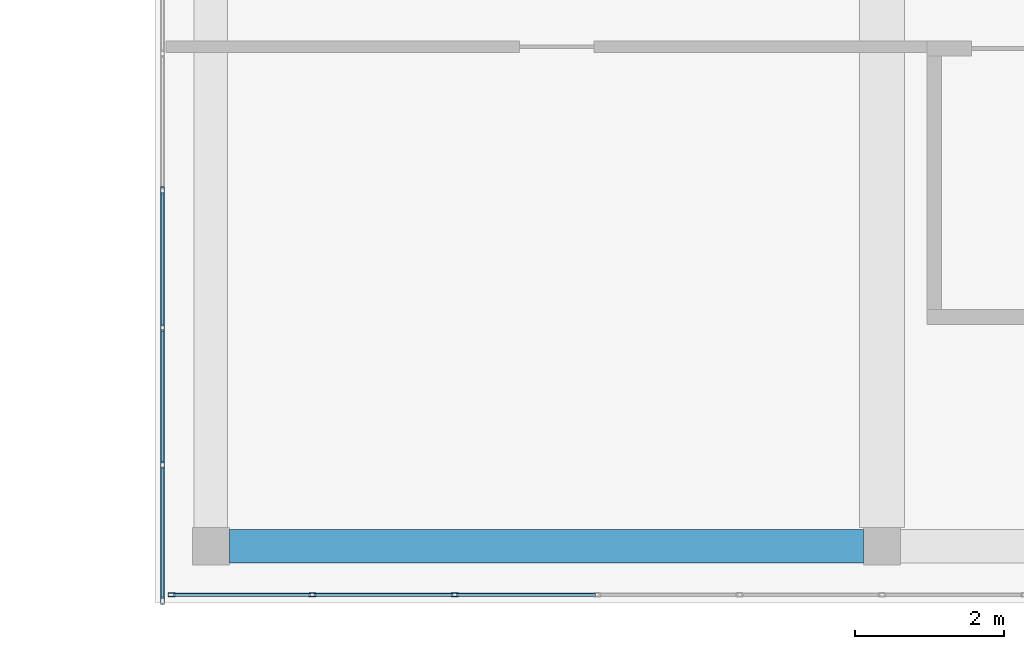
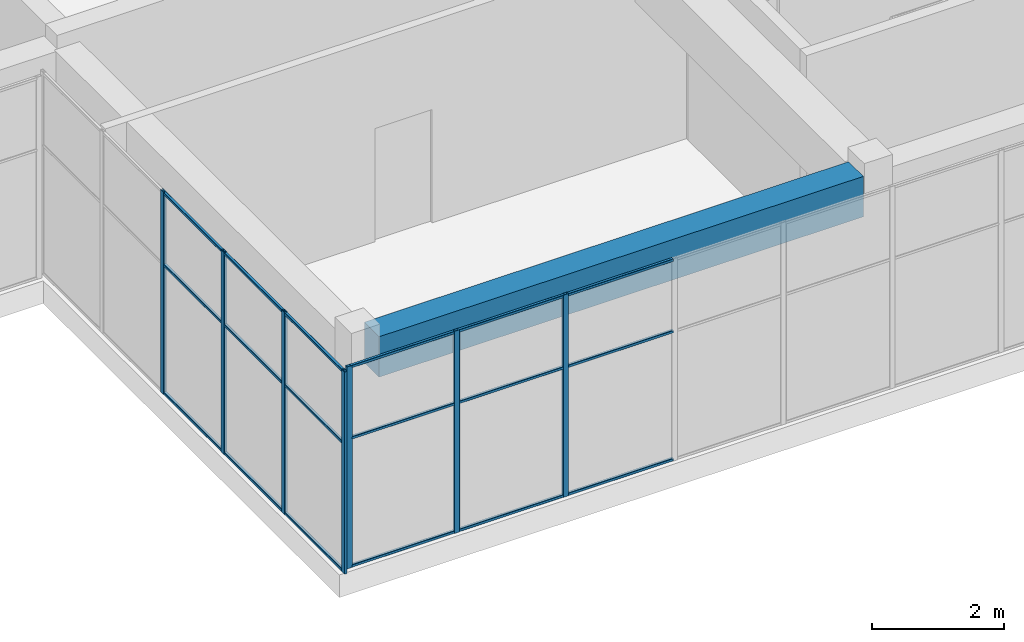
# One storey, part 2 of 34: 25 members, 1 beam, 2 elements without a shape of their own.
"""IFC4 building model written with IfcOpenShell, lengths in metres."""

from ifc_helpers import new_model, si_unit, direction, frame, origin, origin_2d, place, context, subcontext, project, spatial, rectangle, hollow_rectangle, extrude, material, layer, layer_set, material_profile, profile_set, type_object, element, aggregate, save


model = new_model("IFC4")

# Units and contexts
model_context = context("Model", 3, precision=1e-05, world=origin(), true_north=direction((0.0, 1.0)))
body_context = subcontext(model_context, "Body", "Model", "MODEL_VIEW")
ifc_project = project(units=[si_unit("LENGTHUNIT", "METRE"), si_unit("AREAUNIT", "SQUARE_METRE"), si_unit("VOLUMEUNIT", "CUBIC_METRE"), si_unit("PLANEANGLEUNIT", "RADIAN"), si_unit("MASSUNIT", "GRAM", prefix="KILO")], contexts=[model_context])

# Site, building, storey
site_placement = place(None, origin())
site = spatial("IfcSite", under=ifc_project, at=site_placement, CompositionType="ELEMENT")
building_placement = place(site_placement, origin())
building = spatial("IfcBuilding", under=site, at=building_placement, Name="Tuart Plaza Theatre", CompositionType="ELEMENT")
storey_placement = place(building_placement, frame((0.0, 0.0, 53.5)))
storey = spatial("IfcBuildingStorey", under=building, at=storey_placement, Name="L13", CompositionType="ELEMENT", Elevation=53.5)

# Beam
ifc_material_1 = material(Name="Concrete N40 (40 MPa)", Category="concrete")
ifc_material_profile_1 = material_profile(ifc_material_1, rectangle(XDim=0.449951171875, YDim=0.75, at=origin_2d()), Name="BEAM 450x750 Concrete N40 (40 MPa)")
ifc_profile_set_1 = profile_set([ifc_material_profile_1], Name="Concrete N40 (40 MPa)")
beam_type = type_object("IfcBeamType", Name="BEAM 450x750 Concrete N40 (40 MPa)", PredefinedType="BEAM", material=ifc_profile_set_1)
beam_placement = place(storey_placement, frame((123.25, 56.0, 3.375), z_axis=(1.0, 0.0, 0.0), x_axis=(0.0, 1.0, 0.0)))
element("IfcBeam", 1, at=beam_placement, inside=storey, type_object=beam_type, Name="RB328", PredefinedType="BEAM", context=body_context, shape_type="SweptSolid", body=[
    extrude(rectangle(XDim=0.449951171875, YDim=0.75, at=origin_2d()), origin(), (0.0, 0.0, 1.0), 8.5),
])

# Curtain wall, members
ifc_material_2 = material(Name="Aluminium and glass", Category="aluminium")
ifc_layer = layer(ifc_material_2, 0.10009765625)
ifc_layer_set = layer_set([ifc_layer], Name="CURTAIN WALL 2000 module")
curtain_wall_type = type_object("IfcCurtainWallType", Name="CURTAIN WALL 2000 module", PredefinedType="NOTDEFINED", material=ifc_layer_set)
curtain_wall_1_placement = place(storey_placement, origin())
curtain_wall_1 = element("IfcCurtainWall", 2, at=curtain_wall_1_placement, inside=storey, type_object=curtain_wall_type, Name="CW121", PredefinedType="NOTDEFINED")
ifc_material_3 = material(Name="Aluminium 6063-T5", Category="aluminium")
ifc_material_profile_2 = material_profile(ifc_material_3, hollow_rectangle(XDim=0.050048828125, YDim=0.10009765625, WallThickness=0.00390625, InnerFilletRadius=0.00390625, OuterFilletRadius=0.008056640625, at=origin_2d()), Name="RHS 100x50x4")
ifc_profile_set_2 = profile_set([ifc_material_profile_2], Name="Aluminium 6063-T5")
member_type_1 = type_object("IfcMemberType", Name="MULLION RHS 100x50x4", PredefinedType="MULLION", material=ifc_profile_set_2)
member_1_placement = place(storey_placement, frame((122.35009765625, 60.77001953125, 0.0), z_axis=(0.0, 0.0, 1.0), x_axis=(1.0, 0.0, 0.0)))
member_1 = element("IfcMember", 3, at=member_1_placement, type_object=member_type_1, Name="CW121 mullion 3", PredefinedType="MULLION", context=body_context, shape_type="SweptSolid", body=[
    extrude(hollow_rectangle(XDim=0.050048828125, YDim=0.10009765625, WallThickness=0.00390625, InnerFilletRadius=0.00390625, OuterFilletRadius=0.008056640625, at=origin_2d()), origin(), (0.0, 0.0, 1.0), 3.75),
])
member_2_placement = place(storey_placement, frame((122.35009765625, 58.929931640625, 0.0), z_axis=(0.0, 0.0, 1.0), x_axis=(1.0, 0.0, 0.0)))
member_2 = element("IfcMember", 4, at=member_2_placement, type_object=member_type_1, Name="CW121 mullion 4", PredefinedType="MULLION", context=body_context, shape_type="SweptSolid", body=[
    extrude(hollow_rectangle(XDim=0.050048828125, YDim=0.10009765625, WallThickness=0.00390625, InnerFilletRadius=0.00390625, OuterFilletRadius=0.008056640625, at=origin_2d()), origin(), (0.0, 0.0, 1.0), 3.75),
])
member_3_placement = place(storey_placement, frame((122.35009765625, 57.090087890625, 0.0), z_axis=(0.0, 0.0, 1.0), x_axis=(1.0, 0.0, 0.0)))
member_3 = element("IfcMember", 5, at=member_3_placement, type_object=member_type_1, Name="CW121 mullion 5", PredefinedType="MULLION", context=body_context, shape_type="SweptSolid", body=[
    extrude(hollow_rectangle(XDim=0.050048828125, YDim=0.10009765625, WallThickness=0.00390625, InnerFilletRadius=0.00390625, OuterFilletRadius=0.008056640625, at=origin_2d()), origin(), (0.0, 0.0, 1.0), 3.75),
])
member_4_placement = place(storey_placement, frame((122.35009765625, 55.27490234375, 0.0), z_axis=(0.0, 0.0, 1.0), x_axis=(1.0, 0.0, 0.0)))
member_4 = element("IfcMember", 6, at=member_4_placement, type_object=member_type_1, Name="CW121 mullion 6", PredefinedType="MULLION", context=body_context, shape_type="SweptSolid", body=[
    extrude(hollow_rectangle(XDim=0.050048828125, YDim=0.10009765625, WallThickness=0.00390625, InnerFilletRadius=0.00390625, OuterFilletRadius=0.008056640625, at=origin_2d()), origin(), (0.0, 0.0, 1.0), 3.75),
])

curtain_wall_2_placement = place(storey_placement, origin())
curtain_wall_2 = element("IfcCurtainWall", 7, at=curtain_wall_2_placement, inside=storey, type_object=curtain_wall_type, Name="CW122", PredefinedType="NOTDEFINED")
member_5_placement = place(storey_placement, frame((122.47509765625, 55.35009765625, 0.0), z_axis=(0.0, 0.0, 1.0), x_axis=(0.0, 1.0, 0.0)))
member_5 = element("IfcMember", 8, at=member_5_placement, type_object=member_type_1, Name="CW122 mullion 1", PredefinedType="MULLION", context=body_context, shape_type="SweptSolid", body=[
    extrude(hollow_rectangle(XDim=0.050048828125, YDim=0.10009765625, WallThickness=0.00390625, InnerFilletRadius=0.00390625, OuterFilletRadius=0.008056640625, at=origin_2d()), origin(), (0.0, 0.0, 1.0), 3.75),
])
member_6_placement = place(storey_placement, frame((124.360107421875, 55.35009765625, 0.0), z_axis=(0.0, 0.0, 1.0), x_axis=(0.0, 1.0, 0.0)))
member_6 = element("IfcMember", 9, at=member_6_placement, type_object=member_type_1, Name="CW122 mullion 2", PredefinedType="MULLION", context=body_context, shape_type="SweptSolid", body=[
    extrude(hollow_rectangle(XDim=0.050048828125, YDim=0.10009765625, WallThickness=0.00390625, InnerFilletRadius=0.00390625, OuterFilletRadius=0.008056640625, at=origin_2d()), origin(), (0.0, 0.0, 1.0), 3.75),
])
member_7_placement = place(storey_placement, frame((126.27001953125, 55.35009765625, 0.0), z_axis=(0.0, 0.0, 1.0), x_axis=(0.0, 1.0, 0.0)))
member_7 = element("IfcMember", 10, at=member_7_placement, type_object=member_type_1, Name="CW122 mullion 3", PredefinedType="MULLION", context=body_context, shape_type="SweptSolid", body=[
    extrude(hollow_rectangle(XDim=0.050048828125, YDim=0.10009765625, WallThickness=0.00390625, InnerFilletRadius=0.00390625, OuterFilletRadius=0.008056640625, at=origin_2d()), origin(), (0.0, 0.0, 1.0), 3.75),
])

# Member
ifc_material_4 = material(Name="Aluminium 6063-T5", Category="aluminium")
ifc_material_profile_3 = material_profile(ifc_material_4, hollow_rectangle(XDim=0.050048828125, YDim=0.050048828125, WallThickness=0.00390625, InnerFilletRadius=0.00390625, OuterFilletRadius=0.008056640625, at=origin_2d()), Name="RHS 50x50x4")
ifc_profile_set_3 = profile_set([ifc_material_profile_3], Name="Aluminium 6063-T5")
member_type_2 = type_object("IfcMemberType", Name="TRANSOM RHS 50x50x4", PredefinedType="USERDEFINED", material=ifc_profile_set_3)
member_8_placement = place(storey_placement, frame((122.35009765625, 60.7451171875, 0.02490234375), z_axis=(0.0, -1.0, 0.0), x_axis=(1.0, 0.0, 0.0)))
member_8 = element("IfcMember", 11, at=member_8_placement, type_object=member_type_2, Name="CW121 transom 3.1", ObjectType="TRANSOM", PredefinedType="USERDEFINED", context=body_context, shape_type="SweptSolid", body=[
    extrude(hollow_rectangle(XDim=0.050048828125, YDim=0.050048828125, WallThickness=0.00390625, InnerFilletRadius=0.00390625, OuterFilletRadius=0.008056640625, at=origin_2d()), origin(), (0.0, 0.0, 1.0), 1.7900390625),
])

member_9_placement = place(storey_placement, frame((122.35009765625, 60.7451171875, 2.39990234375), z_axis=(0.0, -1.0, 0.0), x_axis=(1.0, 0.0, 0.0)))
member_9 = element("IfcMember", 12, at=member_9_placement, type_object=member_type_2, Name="CW121 transom 3.2", ObjectType="TRANSOM", PredefinedType="USERDEFINED", context=body_context, shape_type="SweptSolid", body=[
    extrude(hollow_rectangle(XDim=0.050048828125, YDim=0.050048828125, WallThickness=0.00390625, InnerFilletRadius=0.00390625, OuterFilletRadius=0.008056640625, at=origin_2d()), origin(), (0.0, 0.0, 1.0), 1.7900390625),
])

member_10_placement = place(storey_placement, frame((122.35009765625, 60.7451171875, 3.72509765625), z_axis=(0.0, -1.0, 0.0), x_axis=(1.0, 0.0, 0.0)))
member_10 = element("IfcMember", 13, at=member_10_placement, type_object=member_type_2, Name="CW121 transom 3.3", ObjectType="TRANSOM", PredefinedType="USERDEFINED", context=body_context, shape_type="SweptSolid", body=[
    extrude(hollow_rectangle(XDim=0.050048828125, YDim=0.050048828125, WallThickness=0.00390625, InnerFilletRadius=0.00390625, OuterFilletRadius=0.008056640625, at=origin_2d()), origin(), (0.0, 0.0, 1.0), 1.7900390625),
])

member_11_placement = place(storey_placement, frame((122.35009765625, 58.905029296875, 0.02490234375), z_axis=(0.0, -1.0, 0.0), x_axis=(1.0, 0.0, 0.0)))
member_11 = element("IfcMember", 14, at=member_11_placement, type_object=member_type_2, Name="CW121 transom 4.1", ObjectType="TRANSOM", PredefinedType="USERDEFINED", context=body_context, shape_type="SweptSolid", body=[
    extrude(hollow_rectangle(XDim=0.050048828125, YDim=0.050048828125, WallThickness=0.00390625, InnerFilletRadius=0.00390625, OuterFilletRadius=0.008056640625, at=origin_2d()), origin(), (0.0, 0.0, 1.0), 1.7900390625),
])

member_12_placement = place(storey_placement, frame((122.35009765625, 58.905029296875, 2.39990234375), z_axis=(0.0, -1.0, 0.0), x_axis=(1.0, 0.0, 0.0)))
member_12 = element("IfcMember", 15, at=member_12_placement, type_object=member_type_2, Name="CW121 transom 4.2", ObjectType="TRANSOM", PredefinedType="USERDEFINED", context=body_context, shape_type="SweptSolid", body=[
    extrude(hollow_rectangle(XDim=0.050048828125, YDim=0.050048828125, WallThickness=0.00390625, InnerFilletRadius=0.00390625, OuterFilletRadius=0.008056640625, at=origin_2d()), origin(), (0.0, 0.0, 1.0), 1.7900390625),
])

member_13_placement = place(storey_placement, frame((122.35009765625, 58.905029296875, 3.72509765625), z_axis=(0.0, -1.0, 0.0), x_axis=(1.0, 0.0, 0.0)))
member_13 = element("IfcMember", 16, at=member_13_placement, type_object=member_type_2, Name="CW121 transom 4.3", ObjectType="TRANSOM", PredefinedType="USERDEFINED", context=body_context, shape_type="SweptSolid", body=[
    extrude(hollow_rectangle(XDim=0.050048828125, YDim=0.050048828125, WallThickness=0.00390625, InnerFilletRadius=0.00390625, OuterFilletRadius=0.008056640625, at=origin_2d()), origin(), (0.0, 0.0, 1.0), 1.7900390625),
])

member_14_placement = place(storey_placement, frame((122.35009765625, 57.06494140625, 0.02490234375), z_axis=(0.0, -1.0, 0.0), x_axis=(1.0, 0.0, 0.0)))
member_14 = element("IfcMember", 17, at=member_14_placement, type_object=member_type_2, Name="CW121 transom 5.1", ObjectType="TRANSOM", PredefinedType="USERDEFINED", context=body_context, shape_type="SweptSolid", body=[
    extrude(hollow_rectangle(XDim=0.050048828125, YDim=0.050048828125, WallThickness=0.00390625, InnerFilletRadius=0.00390625, OuterFilletRadius=0.008056640625, at=origin_2d()), origin(), (0.0, 0.0, 1.0), 1.764892578125),
])

member_15_placement = place(storey_placement, frame((122.35009765625, 57.06494140625, 2.39990234375), z_axis=(0.0, -1.0, 0.0), x_axis=(1.0, 0.0, 0.0)))
member_15 = element("IfcMember", 18, at=member_15_placement, type_object=member_type_2, Name="CW121 transom 5.2", ObjectType="TRANSOM", PredefinedType="USERDEFINED", context=body_context, shape_type="SweptSolid", body=[
    extrude(hollow_rectangle(XDim=0.050048828125, YDim=0.050048828125, WallThickness=0.00390625, InnerFilletRadius=0.00390625, OuterFilletRadius=0.008056640625, at=origin_2d()), origin(), (0.0, 0.0, 1.0), 1.764892578125),
])

member_16_placement = place(storey_placement, frame((122.35009765625, 57.06494140625, 3.72509765625), z_axis=(0.0, -1.0, 0.0), x_axis=(1.0, 0.0, 0.0)))
member_16 = element("IfcMember", 19, at=member_16_placement, type_object=member_type_2, Name="CW121 transom 5.3", ObjectType="TRANSOM", PredefinedType="USERDEFINED", context=body_context, shape_type="SweptSolid", body=[
    extrude(hollow_rectangle(XDim=0.050048828125, YDim=0.050048828125, WallThickness=0.00390625, InnerFilletRadius=0.00390625, OuterFilletRadius=0.008056640625, at=origin_2d()), origin(), (0.0, 0.0, 1.0), 1.764892578125),
])

aggregate(curtain_wall_1, [member_1, member_2, member_3, member_4, member_8, member_9, member_10, member_11, member_12, member_13, member_14, member_15, member_16])

member_17_placement = place(storey_placement, frame((122.5, 55.35009765625, 0.02490234375), z_axis=(1.0, 0.0, 0.0), x_axis=(0.0, 1.0, 0.0)))
member_17 = element("IfcMember", 20, at=member_17_placement, type_object=member_type_2, Name="CW122 transom 1.1", ObjectType="TRANSOM", PredefinedType="USERDEFINED", context=body_context, shape_type="SweptSolid", body=[
    extrude(hollow_rectangle(XDim=0.050048828125, YDim=0.050048828125, WallThickness=0.00390625, InnerFilletRadius=0.00390625, OuterFilletRadius=0.008056640625, at=origin_2d()), origin(), (0.0, 0.0, 1.0), 1.8349609375),
])

member_18_placement = place(storey_placement, frame((122.5, 55.35009765625, 2.39990234375), z_axis=(1.0, 0.0, 0.0), x_axis=(0.0, 1.0, 0.0)))
member_18 = element("IfcMember", 21, at=member_18_placement, type_object=member_type_2, Name="CW122 transom 1.2", ObjectType="TRANSOM", PredefinedType="USERDEFINED", context=body_context, shape_type="SweptSolid", body=[
    extrude(hollow_rectangle(XDim=0.050048828125, YDim=0.050048828125, WallThickness=0.00390625, InnerFilletRadius=0.00390625, OuterFilletRadius=0.008056640625, at=origin_2d()), origin(), (0.0, 0.0, 1.0), 1.8349609375),
])

member_19_placement = place(storey_placement, frame((122.5, 55.35009765625, 3.72509765625), z_axis=(1.0, 0.0, 0.0), x_axis=(0.0, 1.0, 0.0)))
member_19 = element("IfcMember", 22, at=member_19_placement, type_object=member_type_2, Name="CW122 transom 1.3", ObjectType="TRANSOM", PredefinedType="USERDEFINED", context=body_context, shape_type="SweptSolid", body=[
    extrude(hollow_rectangle(XDim=0.050048828125, YDim=0.050048828125, WallThickness=0.00390625, InnerFilletRadius=0.00390625, OuterFilletRadius=0.008056640625, at=origin_2d()), origin(), (0.0, 0.0, 1.0), 1.8349609375),
])

member_20_placement = place(storey_placement, frame((124.385009765625, 55.35009765625, 0.02490234375), z_axis=(1.0, 0.0, 0.0), x_axis=(0.0, 1.0, 0.0)))
member_20 = element("IfcMember", 23, at=member_20_placement, type_object=member_type_2, Name="CW122 transom 2.1", ObjectType="TRANSOM", PredefinedType="USERDEFINED", context=body_context, shape_type="SweptSolid", body=[
    extrude(hollow_rectangle(XDim=0.050048828125, YDim=0.050048828125, WallThickness=0.00390625, InnerFilletRadius=0.00390625, OuterFilletRadius=0.008056640625, at=origin_2d()), origin(), (0.0, 0.0, 1.0), 1.860107421875),
])

member_21_placement = place(storey_placement, frame((124.385009765625, 55.35009765625, 2.39990234375), z_axis=(1.0, 0.0, 0.0), x_axis=(0.0, 1.0, 0.0)))
member_21 = element("IfcMember", 24, at=member_21_placement, type_object=member_type_2, Name="CW122 transom 2.2", ObjectType="TRANSOM", PredefinedType="USERDEFINED", context=body_context, shape_type="SweptSolid", body=[
    extrude(hollow_rectangle(XDim=0.050048828125, YDim=0.050048828125, WallThickness=0.00390625, InnerFilletRadius=0.00390625, OuterFilletRadius=0.008056640625, at=origin_2d()), origin(), (0.0, 0.0, 1.0), 1.860107421875),
])

member_22_placement = place(storey_placement, frame((124.385009765625, 55.35009765625, 3.72509765625), z_axis=(1.0, 0.0, 0.0), x_axis=(0.0, 1.0, 0.0)))
member_22 = element("IfcMember", 25, at=member_22_placement, type_object=member_type_2, Name="CW122 transom 2.3", ObjectType="TRANSOM", PredefinedType="USERDEFINED", context=body_context, shape_type="SweptSolid", body=[
    extrude(hollow_rectangle(XDim=0.050048828125, YDim=0.050048828125, WallThickness=0.00390625, InnerFilletRadius=0.00390625, OuterFilletRadius=0.008056640625, at=origin_2d()), origin(), (0.0, 0.0, 1.0), 1.860107421875),
])

member_23_placement = place(storey_placement, frame((126.294921875, 55.35009765625, 0.02490234375), z_axis=(1.0, 0.0, 0.0), x_axis=(0.0, 1.0, 0.0)))
member_23 = element("IfcMember", 26, at=member_23_placement, type_object=member_type_2, Name="CW122 transom 3.1", ObjectType="TRANSOM", PredefinedType="USERDEFINED", context=body_context, shape_type="SweptSolid", body=[
    extrude(hollow_rectangle(XDim=0.050048828125, YDim=0.050048828125, WallThickness=0.00390625, InnerFilletRadius=0.00390625, OuterFilletRadius=0.008056640625, at=origin_2d()), origin(), (0.0, 0.0, 1.0), 1.860107421875),
])

member_24_placement = place(storey_placement, frame((126.294921875, 55.35009765625, 2.39990234375), z_axis=(1.0, 0.0, 0.0), x_axis=(0.0, 1.0, 0.0)))
member_24 = element("IfcMember", 27, at=member_24_placement, type_object=member_type_2, Name="CW122 transom 3.2", ObjectType="TRANSOM", PredefinedType="USERDEFINED", context=body_context, shape_type="SweptSolid", body=[
    extrude(hollow_rectangle(XDim=0.050048828125, YDim=0.050048828125, WallThickness=0.00390625, InnerFilletRadius=0.00390625, OuterFilletRadius=0.008056640625, at=origin_2d()), origin(), (0.0, 0.0, 1.0), 1.860107421875),
])

member_25_placement = place(storey_placement, frame((126.294921875, 55.35009765625, 3.72509765625), z_axis=(1.0, 0.0, 0.0), x_axis=(0.0, 1.0, 0.0)))
member_25 = element("IfcMember", 28, at=member_25_placement, type_object=member_type_2, Name="CW122 transom 3.3", ObjectType="TRANSOM", PredefinedType="USERDEFINED", context=body_context, shape_type="SweptSolid", body=[
    extrude(hollow_rectangle(XDim=0.050048828125, YDim=0.050048828125, WallThickness=0.00390625, InnerFilletRadius=0.00390625, OuterFilletRadius=0.008056640625, at=origin_2d()), origin(), (0.0, 0.0, 1.0), 1.860107421875),
])

aggregate(curtain_wall_2, [member_5, member_6, member_7, member_17, member_18, member_19, member_20, member_21, member_22, member_23, member_24, member_25])

save(model, "model.ifc")
